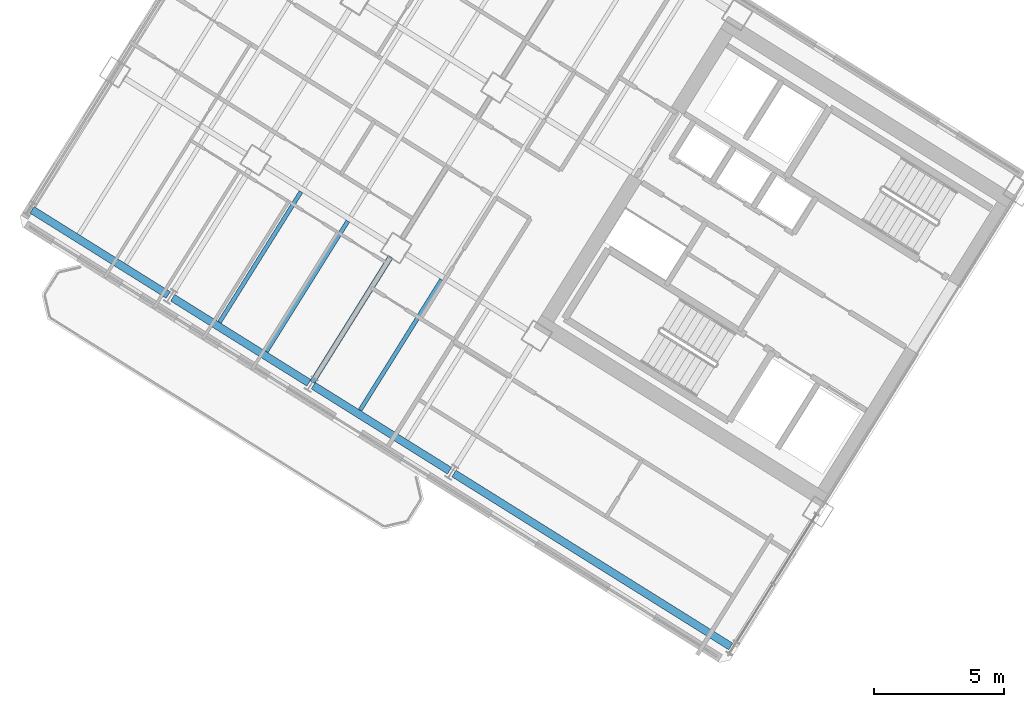
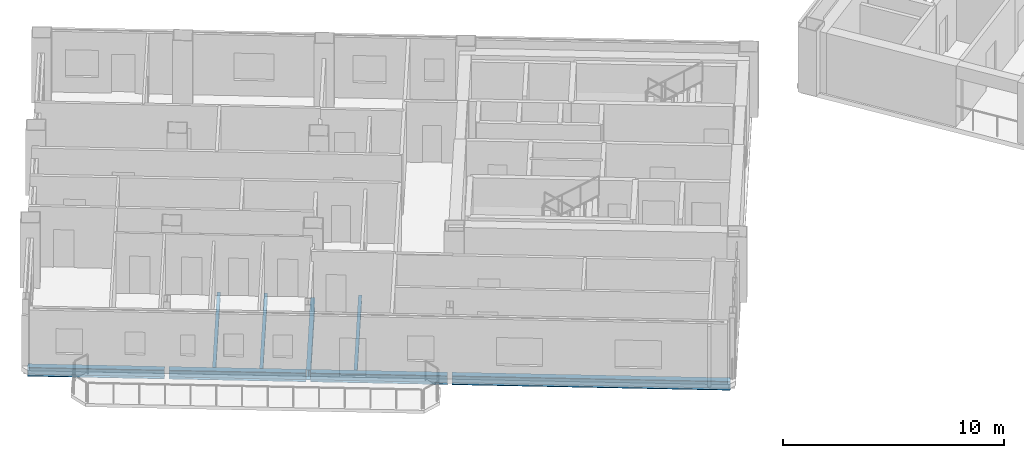
# One storey, part 5 of 19: 8 beams.
"""IFC4 building model written with IfcOpenShell, lengths in metres."""

import ifcopenshell
import ifcopenshell.guid

model = None  # the IFC model being written
_history = None  # IfcOwnerHistory: only IFC2X3 demands one
_inside = {}  # id of a spatial element -> (the spatial element, [elements in it])
_under = {}  # id of a project, library or spatial element -> (it, [spatial elements below it])
_declared = {}  # id of a project -> (the project, [libraries it declares])
_typed = {}  # id of a type object -> (the type object, [elements of that type])
_made_of = {}  # id of a material, layer set ... -> (it, [elements and type objects made of it])


def new_model(schema):
    """Start an empty IFC model of exactly this schema.

    Asked for "IFC4X3", IfcOpenShell would pick the latest addendum, in which some entities
    have other attributes; the version numbers below select the first issue.
    IFC2X3 requires an IfcOwnerHistory on every rooted entity: one is made here for all.
    """
    global model, _history
    if schema == "IFC4X3":
        model = ifcopenshell.file(schema_version=(4, 3, 0, 0))
    else:
        model = ifcopenshell.file(schema=schema)
    _inside.clear()
    _under.clear()
    _declared.clear()
    _typed.clear()
    _made_of.clear()
    _history = None
    if model.schema == "IFC2X3":
        org = make("IfcOrganization", Name="unknown")
        user = make(
            "IfcPersonAndOrganization",
            ThePerson=make("IfcPerson", FamilyName="unknown"),
            TheOrganization=org,
        )
        app = make(
            "IfcApplication",
            ApplicationDeveloper=org,
            Version="unknown",
            ApplicationFullName="unknown",
            ApplicationIdentifier="unknown",
        )
        _history = make(
            "IfcOwnerHistory",
            OwningUser=user,
            OwningApplication=app,
            ChangeAction="ADDED",
            CreationDate=0,
        )
    return model


def make(cls, **values):
    """One entity of the class cls with the attributes given. An attribute that is None is left unset."""
    return model.create_entity(
        cls, **{name: value for name, value in values.items() if value is not None}
    )


def rooted(cls, **values):
    """An entity with a GlobalId (a new one), such as an element, a storey or a relation."""
    return make(cls, GlobalId=ifcopenshell.guid.new(), OwnerHistory=_history, **values)


def si_unit(unit_type, name, prefix=None):
    """IfcSIUnit, for example si_unit("LENGTHUNIT", "METRE", prefix="MILLI")."""
    return make("IfcSIUnit", UnitType=unit_type, Prefix=prefix, Name=name)


def assignment(units):
    """IfcUnitAssignment: the units of a project."""
    return None if units is None else make("IfcUnitAssignment", Units=units)


def point(xyz):
    """IfcCartesianPoint."""
    return None if xyz is None else make("IfcCartesianPoint", Coordinates=xyz)


def direction(xyz):
    """IfcDirection."""
    return None if xyz is None else make("IfcDirection", DirectionRatios=xyz)


def frame(location, z_axis=None, x_axis=None):
    """IfcAxis2Placement3D, a coordinate frame: its origin and axes. An axis left out is left unset."""
    return make(
        "IfcAxis2Placement3D",
        Location=point(location),
        Axis=direction(z_axis),
        RefDirection=direction(x_axis),
    )


def frame_2d(location, x_axis=None):
    """IfcAxis2Placement2D, a coordinate frame in the plane: its origin and x axis."""
    return make(
        "IfcAxis2Placement2D", Location=point(location), RefDirection=direction(x_axis)
    )


def origin():
    """The frame at (0, 0, 0) with its axes left unset."""
    return frame((0.0, 0.0, 0.0))


def origin_2d():
    """The frame at (0, 0) in the plane with its x axis left unset."""
    return frame_2d((0.0, 0.0))


def place(relative_to, where):
    """IfcLocalPlacement: puts the frame where relative to a parent placement (None: the world)."""
    return make(
        "IfcLocalPlacement", PlacementRelTo=relative_to, RelativePlacement=where
    )


def context(
    kind, dimensions, precision=None, world=None, true_north=None, identifier=None
):
    """IfcGeometricRepresentationContext, for example the 3D "Model" context."""
    return make(
        "IfcGeometricRepresentationContext",
        ContextIdentifier=identifier,
        ContextType=kind,
        CoordinateSpaceDimension=dimensions,
        Precision=precision,
        WorldCoordinateSystem=world,
        TrueNorth=true_north,
    )


def subcontext(parent, identifier, kind, view, scale=None):
    """IfcGeometricRepresentationSubContext, for example "Body" below "Model"."""
    return make(
        "IfcGeometricRepresentationSubContext",
        ContextIdentifier=identifier,
        ContextType=kind,
        ParentContext=parent,
        TargetScale=scale,
        TargetView=view,
    )


def project(units=None, contexts=None):
    """IfcProject with its units and contexts."""
    return rooted(
        "IfcProject",
        Name="project",
        RepresentationContexts=contexts,
        UnitsInContext=assignment(units),
    )


def spatial(cls, under=None, at=None, **own):
    """A site, building, storey or space (cls), placed at a placement, below another one or the project."""
    s = rooted(cls, ObjectPlacement=at, **own)
    if under is not None:
        _under.setdefault(under.id(), (under, []))[1].append(s)
    return s


def profile(cls, at=None, kind="AREA", **sizes):
    """A parametric profile (cls). Its sizes go by their IFC names, for example OverallWidth=200.0."""
    return make(cls, ProfileType=kind, Position=at, **sizes)


def i_section(**sizes):
    """IfcIShapeProfileDef."""
    return profile("IfcIShapeProfileDef", **sizes)


def extrude(swept, where, along, depth):
    """IfcExtrudedAreaSolid: the profile swept, set in the frame where, extruded along a direction by depth."""
    return make(
        "IfcExtrudedAreaSolid",
        SweptArea=swept,
        Position=where,
        ExtrudedDirection=direction(along),
        Depth=depth,
    )


def shape(context_of_items, identifier, shape_type, items):
    """IfcShapeRepresentation: the items that make up one representation, for example the "Body"."""
    return make(
        "IfcShapeRepresentation",
        ContextOfItems=context_of_items,
        RepresentationIdentifier=identifier,
        RepresentationType=shape_type,
        Items=items,
    )


def source(mapping_origin, context_of_items, identifier, shape_type, items):
    """IfcRepresentationMap: a shape defined once, which mapped items show again and again."""
    return make(
        "IfcRepresentationMap",
        MappingOrigin=mapping_origin,
        MappedRepresentation=shape(context_of_items, identifier, shape_type, items),
    )


def transform(
    local_origin,
    x_axis=None,
    y_axis=None,
    z_axis=None,
    scale=None,
    scale2=None,
    scale3=None,
    uniform=True,
):
    """IfcCartesianTransformationOperator3D, or its non-uniform kind. x_axis, y_axis, z_axis: its Axis1, 2, 3."""
    if uniform:
        return make(
            "IfcCartesianTransformationOperator3D",
            Axis1=direction(x_axis),
            Axis2=direction(y_axis),
            LocalOrigin=point(local_origin),
            Scale=scale,
            Axis3=direction(z_axis),
        )
    return make(
        "IfcCartesianTransformationOperator3DnonUniform",
        Axis1=direction(x_axis),
        Axis2=direction(y_axis),
        LocalOrigin=point(local_origin),
        Scale=scale,
        Axis3=direction(z_axis),
        Scale2=scale2,
        Scale3=scale3,
    )


def mapped(mapping_source, mapping_target):
    """IfcMappedItem: shows the shape of a source again, moved by a transform."""
    return make(
        "IfcMappedItem", MappingSource=mapping_source, MappingTarget=mapping_target
    )


def material(Name=None, Category=None):
    """IfcMaterial."""
    return make("IfcMaterial", Name=Name, Category=Category)


def material_profile(
    of_material, cross_section, Name=None, Category=None, Priority=None
):
    """IfcMaterialProfile: a cross section and its material."""
    return make(
        "IfcMaterialProfile",
        Name=Name,
        Material=of_material,
        Profile=cross_section,
        Priority=Priority,
        Category=Category,
    )


def profile_set(profiles, Name=None, composite=None):
    """IfcMaterialProfileSet."""
    return make(
        "IfcMaterialProfileSet",
        Name=Name,
        MaterialProfiles=profiles,
        CompositeProfile=composite,
    )


def made_of(thing, what):
    """Note that an element or type object is made of a material, layer set ...; save() writes the relation."""
    if what is not None:
        _made_of.setdefault(what.id(), (what, []))[1].append(thing)
    return thing


def type_object(cls, material=None, **own):
    """A type object (cls), such as IfcWallType, which elements share."""
    return made_of(rooted(cls, **own), material)


def element(
    cls,
    number,
    at=None,
    inside=None,
    cuts=None,
    type_object=None,
    material=None,
    context=None,
    identifier="Body",
    shape_type=None,
    held_by="IfcProductDefinitionShape",
    body=None,
    shapes=None,
    **own,
):
    """One element of the class cls, such as IfcWall. Its Tag is "e" and its number.

    at: its placement. inside: the storey or other place that contains it. cuts: it is an
    opening in that element (IfcRelVoidsElement). A single representation is given by context,
    identifier, shape_type and body (its items); several are given by shapes. held_by: the class
    of the entity that holds the representations. save() writes the other relations.
    """
    e = rooted(cls, Tag="e%d" % number, ObjectPlacement=at, **own)
    if body is not None:
        shapes = [shape(context, identifier, shape_type, body)]
    if shapes is not None:
        e.Representation = make(held_by, Representations=shapes)
    if inside is not None:
        _inside.setdefault(inside.id(), (inside, []))[1].append(e)
    if cuts is not None:
        rooted(
            "IfcRelVoidsElement", RelatingBuildingElement=cuts, RelatedOpeningElement=e
        )
    if type_object is not None:
        _typed.setdefault(type_object.id(), (type_object, []))[1].append(e)
    return made_of(e, material)


def aggregate(whole, parts):
    """IfcRelAggregates: a whole, such as a stair, and the parts it consists of."""
    return rooted("IfcRelAggregates", RelatingObject=whole, RelatedObjects=parts)


def save(model, path):
    """Write the relations noted so far, then the file.

    IfcRelAggregates (storeys below a building ...), IfcRelContainedInSpatialStructure (elements
    in a storey), IfcRelDefinesByType, IfcRelAssociatesMaterial and IfcRelDeclares: one each for
    every whole, place, type object, material and project.
    """
    for whole, parts in _under.values():
        aggregate(whole, parts)
    for where, things in _inside.values():
        rooted(
            "IfcRelContainedInSpatialStructure",
            RelatedElements=things,
            RelatingStructure=where,
        )
    for kind, things in _typed.values():
        rooted("IfcRelDefinesByType", RelatedObjects=things, RelatingType=kind)
    for what, things in _made_of.values():
        rooted("IfcRelAssociatesMaterial", RelatedObjects=things, RelatingMaterial=what)
    for by, libraries in _declared.values():
        rooted("IfcRelDeclares", RelatingContext=by, RelatedDefinitions=libraries)
    model.write(path)


model = new_model("IFC4")

# Units and contexts
model_context = context("Model", 3, precision=1e-05, world=origin(), true_north=direction((0.0, 1.0)))
body_context = subcontext(model_context, "Body", "Model", "MODEL_VIEW")
ifc_project = project(units=[si_unit("LENGTHUNIT", "METRE"), si_unit("AREAUNIT", "SQUARE_METRE"), si_unit("VOLUMEUNIT", "CUBIC_METRE"), si_unit("PLANEANGLEUNIT", "RADIAN"), si_unit("MASSUNIT", "GRAM", prefix="KILO")], contexts=[model_context])

# Site, building, storey
site_placement = place(None, origin())
site = spatial("IfcSite", under=ifc_project, at=site_placement, CompositionType="ELEMENT")
building_placement = place(site_placement, origin())
building = spatial("IfcBuilding", under=site, at=building_placement, Name="Tlacorven Tower", CompositionType="ELEMENT")
storey_placement = place(building_placement, frame((0.0, 0.0, 144.300048828125)))
storey = spatial("IfcBuildingStorey", under=building, at=storey_placement, Name="L36", CompositionType="ELEMENT", Elevation=144.300048828125)

# Beams
ifc_material = material(Name="Steel S355J2", Category="steel")
ifc_material_profile_1 = material_profile(ifc_material, i_section(OverallWidth=0.300048828125, OverallDepth=0.489990234375, WebThickness=0.011962890625, FlangeThickness=0.02294921875, at=origin_2d()), Name="HEA 500")
ifc_profile_set_1 = profile_set([ifc_material_profile_1], Name="Steel S355J2")
beam_type_1 = type_object("IfcBeamType", Name="BM-SPN-500", PredefinedType="SPANDREL", material=ifc_profile_set_1)
shared_shape_1 = source(origin(), body_context, "Body", "SweptSolid", [
    extrude(i_section(OverallWidth=0.300048828125, OverallDepth=0.489990234375, WebThickness=0.011962890625, FlangeThickness=0.02294921875, at=origin_2d()), origin(), (0.0, 0.0, 1.0), 12.599853515625),
])
beam_1_placement = place(storey_placement, frame((29.67578125, 6.882080078125, -0.4951171875), z_axis=(-0.848045108756, 0.529924045043, 0.0), x_axis=(-0.529924045043, -0.848045108756, 0.0)))
element("IfcBeam", 1, at=beam_1_placement, inside=storey, type_object=beam_type_1, Name="L36 beam BM-L36-WL4-1", PredefinedType="SPANDREL", context=body_context, shape_type="MappedRepresentation", body=[
    mapped(shared_shape_1, transform((0.0, 0.0, 0.0), scale=1.0)),
])
shared_shape_2 = source(origin(), body_context, "Body", "SweptSolid", [
    extrude(i_section(OverallWidth=0.300048828125, OverallDepth=0.489990234375, WebThickness=0.011962890625, FlangeThickness=0.02294921875, at=origin_2d()), origin(), (0.0, 0.0, 1.0), 6.199951171875),
])
for number, where, z_axis, x_axis, name in (
    (2, (18.82080078125, 13.6650390625, -0.4951171875), (-0.848051394107, 0.529913986372, 0.0), (-0.529913986372, -0.848051394107, 0.0), "L36 beam BM-L36-WL4-3"),
    (3, (13.393310546875, 17.056396484375, -0.4951171875), (-0.848033697614, 0.529942306022, 0.0), (-0.529942306022, -0.848033697614, 0.0), "L36 beam BM-L36-WL4-4"),
    (4, (7.9658203125, 20.447998046875, -0.4951171875), (-0.848051394107, 0.529913986372, 0.0), (-0.529913986372, -0.848051394107, 0.0), "L36 beam BM-L36-WL4-5"),
):
    element("IfcBeam", number, at=place(storey_placement, frame(where, z_axis=z_axis, x_axis=x_axis)), inside=storey, type_object=beam_type_1, Name=name, PredefinedType="SPANDREL", context=body_context, shape_type="MappedRepresentation", body=[
        mapped(shared_shape_2, transform((0.0, 0.0, 0.0), scale=1.0)),
    ])
ifc_material_profile_2 = material_profile(ifc_material, i_section(OverallWidth=0.2099609375, OverallDepth=0.550048828125, WebThickness=0.010986328125, FlangeThickness=0.01708984375, at=origin_2d()), Name="IPE 550")
ifc_profile_set_2 = profile_set([ifc_material_profile_2], Name="Steel S355J2")
beam_type_2 = type_object("IfcBeamType", Name="BM-TWR-550", PredefinedType="BEAM", material=ifc_profile_set_2)
shared_shape_3 = source(origin(), body_context, "Body", "SweptSolid", [
    extrude(i_section(OverallWidth=0.2099609375, OverallDepth=0.550048828125, WebThickness=0.010986328125, FlangeThickness=0.01708984375, at=origin_2d()), origin(), (0.0, 0.0, 1.0), 5.7001953125),
])
beam_2_placement = place(storey_placement, frame((16.5517578125, 21.922119140625, -0.525146484375), z_axis=(-0.529937340199, -0.848036800771, 0.0), x_axis=(0.848036800771, -0.529937340199, 0.0)))
element("IfcBeam", 5, at=beam_2_placement, inside=storey, type_object=beam_type_2, Name="L36 beam BM-L36-WT4-3", PredefinedType="BEAM", context=body_context, shape_type="MappedRepresentation", body=[
    mapped(shared_shape_3, transform((0.0, 0.0, 0.0), scale=1.0)),
])
ifc_material_profile_3 = material_profile(ifc_material, i_section(OverallWidth=0.159912109375, OverallDepth=0.330078125, WebThickness=0.007568359375, FlangeThickness=0.011474609375, at=origin_2d()), Name="IPE 330")
ifc_profile_set_3 = profile_set([ifc_material_profile_3], Name="Steel S355J2")
beam_type_3 = type_object("IfcBeamType", Name="BM-JST-330", PredefinedType="JOIST", material=ifc_profile_set_3)
shared_shape_4 = source(origin(), body_context, "Body", "SweptSolid", [
    extrude(i_section(OverallWidth=0.159912109375, OverallDepth=0.330078125, WebThickness=0.007568359375, FlangeThickness=0.011474609375, at=origin_2d()), origin(), (0.0, 0.0, 1.0), 5.93505859375),
])
for number, where, z_axis, x_axis, name in (
    (6, (18.514404296875, 21.03759765625, -0.4150390625), (-0.529910194899, -0.848053763238, 0.0), (0.848053763238, -0.529910194899, 0.0), "L36 beam BM-L36-WJ3-3-2"),
    (7, (14.896240234375, 23.298583984375, -0.4150390625), (-0.529910194899, -0.848053763238, 0.0), (0.848053763238, -0.529910194899, 0.0), "L36 beam BM-L36-WJ4-3-1"),
):
    element("IfcBeam", number, at=place(storey_placement, frame(where, z_axis=z_axis, x_axis=x_axis)), inside=storey, type_object=beam_type_3, Name=name, PredefinedType="JOIST", context=body_context, shape_type="MappedRepresentation", body=[
        mapped(shared_shape_4, transform((0.0, 0.0, 0.0), scale=1.0)),
    ])
shared_shape_5 = source(origin(), body_context, "Body", "SweptSolid", [
    extrude(i_section(OverallWidth=0.159912109375, OverallDepth=0.330078125, WebThickness=0.007568359375, FlangeThickness=0.011474609375, at=origin_2d()), origin(), (0.0, 0.0, 1.0), 5.934814453125),
])
beam_3_placement = place(storey_placement, frame((13.0869140625, 24.428955078125, -0.4150390625), z_axis=(-0.52992868149, -0.848042211529, 0.0), x_axis=(0.848042211529, -0.52992868149, 0.0)))
element("IfcBeam", 8, at=beam_3_placement, inside=storey, type_object=beam_type_3, Name="L36 beam BM-L36-WJ4-3-2", PredefinedType="JOIST", context=body_context, shape_type="MappedRepresentation", body=[
    mapped(shared_shape_5, transform((0.0, 0.0, 0.0), scale=1.0)),
])

save(model, "model.ifc")
